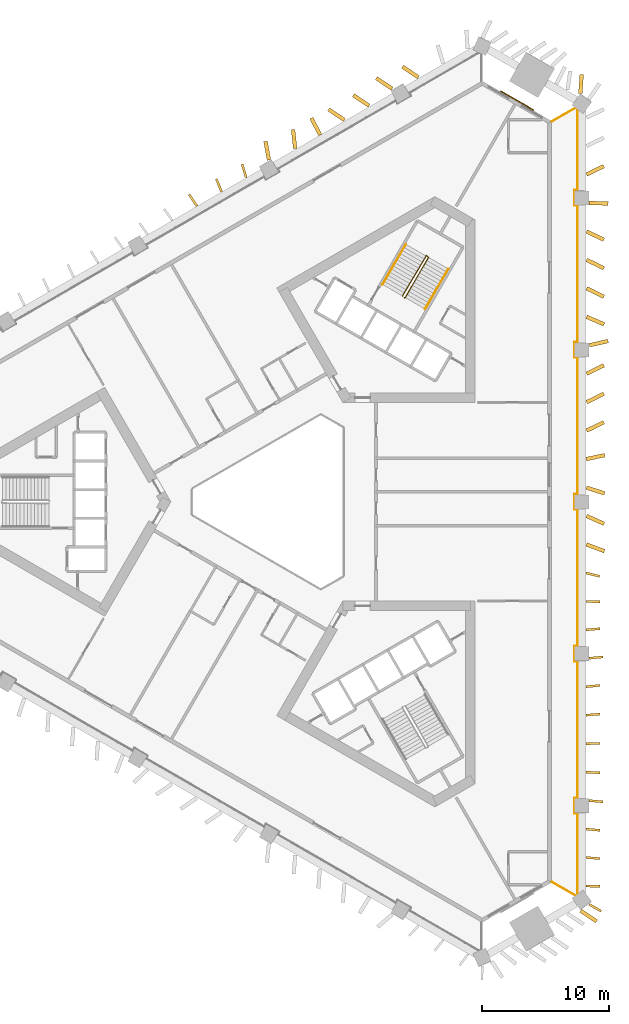
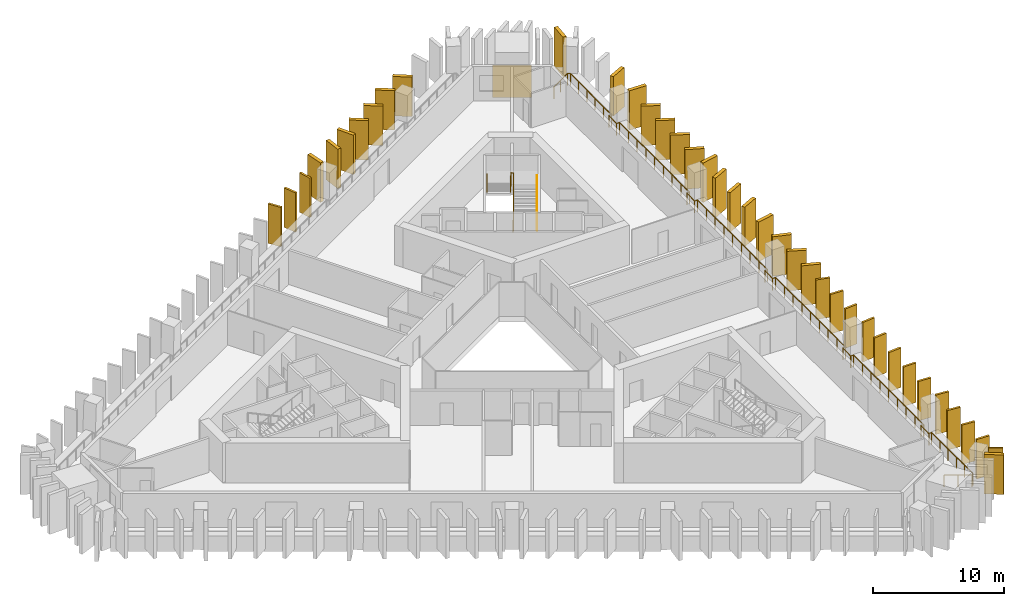
# One storey, part 9 of 10: 39 shading devices, 4 railings, 1 covering.
"""IFC4 building model written with IfcOpenShell, lengths in metres."""

import ifcopenshell
import ifcopenshell.guid

model = None  # the IFC model being written
_history = None  # IfcOwnerHistory: only IFC2X3 demands one
_inside = {}  # id of a spatial element -> (the spatial element, [elements in it])
_under = {}  # id of a project, library or spatial element -> (it, [spatial elements below it])
_declared = {}  # id of a project -> (the project, [libraries it declares])
_typed = {}  # id of a type object -> (the type object, [elements of that type])
_made_of = {}  # id of a material, layer set ... -> (it, [elements and type objects made of it])


def new_model(schema):
    """Start an empty IFC model of exactly this schema.

    Asked for "IFC4X3", IfcOpenShell would pick the latest addendum, in which some entities
    have other attributes; the version numbers below select the first issue.
    IFC2X3 requires an IfcOwnerHistory on every rooted entity: one is made here for all.
    """
    global model, _history
    if schema == "IFC4X3":
        model = ifcopenshell.file(schema_version=(4, 3, 0, 0))
    else:
        model = ifcopenshell.file(schema=schema)
    _inside.clear()
    _under.clear()
    _declared.clear()
    _typed.clear()
    _made_of.clear()
    _history = None
    if model.schema == "IFC2X3":
        org = make("IfcOrganization", Name="unknown")
        user = make(
            "IfcPersonAndOrganization",
            ThePerson=make("IfcPerson", FamilyName="unknown"),
            TheOrganization=org,
        )
        app = make(
            "IfcApplication",
            ApplicationDeveloper=org,
            Version="unknown",
            ApplicationFullName="unknown",
            ApplicationIdentifier="unknown",
        )
        _history = make(
            "IfcOwnerHistory",
            OwningUser=user,
            OwningApplication=app,
            ChangeAction="ADDED",
            CreationDate=0,
        )
    return model


def make(cls, **values):
    """One entity of the class cls with the attributes given. An attribute that is None is left unset."""
    return model.create_entity(
        cls, **{name: value for name, value in values.items() if value is not None}
    )


def rooted(cls, **values):
    """An entity with a GlobalId (a new one), such as an element, a storey or a relation."""
    return make(cls, GlobalId=ifcopenshell.guid.new(), OwnerHistory=_history, **values)


def si_unit(unit_type, name, prefix=None):
    """IfcSIUnit, for example si_unit("LENGTHUNIT", "METRE", prefix="MILLI")."""
    return make("IfcSIUnit", UnitType=unit_type, Prefix=prefix, Name=name)


def assignment(units):
    """IfcUnitAssignment: the units of a project."""
    return None if units is None else make("IfcUnitAssignment", Units=units)


def point(xyz):
    """IfcCartesianPoint."""
    return None if xyz is None else make("IfcCartesianPoint", Coordinates=xyz)


def direction(xyz):
    """IfcDirection."""
    return None if xyz is None else make("IfcDirection", DirectionRatios=xyz)


def frame(location, z_axis=None, x_axis=None):
    """IfcAxis2Placement3D, a coordinate frame: its origin and axes. An axis left out is left unset."""
    return make(
        "IfcAxis2Placement3D",
        Location=point(location),
        Axis=direction(z_axis),
        RefDirection=direction(x_axis),
    )


def frame_2d(location, x_axis=None):
    """IfcAxis2Placement2D, a coordinate frame in the plane: its origin and x axis."""
    return make(
        "IfcAxis2Placement2D", Location=point(location), RefDirection=direction(x_axis)
    )


def origin():
    """The frame at (0, 0, 0) with its axes left unset."""
    return frame((0.0, 0.0, 0.0))


def origin_2d():
    """The frame at (0, 0) in the plane with its x axis left unset."""
    return frame_2d((0.0, 0.0))


def place(relative_to, where):
    """IfcLocalPlacement: puts the frame where relative to a parent placement (None: the world)."""
    return make(
        "IfcLocalPlacement", PlacementRelTo=relative_to, RelativePlacement=where
    )


def context(
    kind, dimensions, precision=None, world=None, true_north=None, identifier=None
):
    """IfcGeometricRepresentationContext, for example the 3D "Model" context."""
    return make(
        "IfcGeometricRepresentationContext",
        ContextIdentifier=identifier,
        ContextType=kind,
        CoordinateSpaceDimension=dimensions,
        Precision=precision,
        WorldCoordinateSystem=world,
        TrueNorth=true_north,
    )


def subcontext(parent, identifier, kind, view, scale=None):
    """IfcGeometricRepresentationSubContext, for example "Body" below "Model"."""
    return make(
        "IfcGeometricRepresentationSubContext",
        ContextIdentifier=identifier,
        ContextType=kind,
        ParentContext=parent,
        TargetScale=scale,
        TargetView=view,
    )


def project(units=None, contexts=None):
    """IfcProject with its units and contexts."""
    return rooted(
        "IfcProject",
        Name="project",
        RepresentationContexts=contexts,
        UnitsInContext=assignment(units),
    )


def spatial(cls, under=None, at=None, **own):
    """A site, building, storey or space (cls), placed at a placement, below another one or the project."""
    s = rooted(cls, ObjectPlacement=at, **own)
    if under is not None:
        _under.setdefault(under.id(), (under, []))[1].append(s)
    return s


def profile(cls, at=None, kind="AREA", **sizes):
    """A parametric profile (cls). Its sizes go by their IFC names, for example OverallWidth=200.0."""
    return make(cls, ProfileType=kind, Position=at, **sizes)


def rectangle(**sizes):
    """IfcRectangleProfileDef."""
    return profile("IfcRectangleProfileDef", **sizes)


def circle(**sizes):
    """IfcCircleProfileDef."""
    return profile("IfcCircleProfileDef", **sizes)


def extrude(swept, where, along, depth):
    """IfcExtrudedAreaSolid: the profile swept, set in the frame where, extruded along a direction by depth."""
    return make(
        "IfcExtrudedAreaSolid",
        SweptArea=swept,
        Position=where,
        ExtrudedDirection=direction(along),
        Depth=depth,
    )


def shape(context_of_items, identifier, shape_type, items):
    """IfcShapeRepresentation: the items that make up one representation, for example the "Body"."""
    return make(
        "IfcShapeRepresentation",
        ContextOfItems=context_of_items,
        RepresentationIdentifier=identifier,
        RepresentationType=shape_type,
        Items=items,
    )


def material(Name=None, Category=None):
    """IfcMaterial."""
    return make("IfcMaterial", Name=Name, Category=Category)


def layer(
    of_material, thickness, ventilated=None, Name=None, Category=None, Priority=None
):
    """IfcMaterialLayer: one layer of a wall or slab, of a material (None: an air gap)."""
    return make(
        "IfcMaterialLayer",
        Material=of_material,
        LayerThickness=thickness,
        IsVentilated=ventilated,
        Name=Name,
        Category=Category,
        Priority=Priority,
    )


def layer_set(layers, Name=None):
    """IfcMaterialLayerSet."""
    return make("IfcMaterialLayerSet", MaterialLayers=layers, LayerSetName=Name)


def made_of(thing, what):
    """Note that an element or type object is made of a material, layer set ...; save() writes the relation."""
    if what is not None:
        _made_of.setdefault(what.id(), (what, []))[1].append(thing)
    return thing


def type_object(cls, material=None, **own):
    """A type object (cls), such as IfcWallType, which elements share."""
    return made_of(rooted(cls, **own), material)


def element(
    cls,
    number,
    at=None,
    inside=None,
    cuts=None,
    type_object=None,
    material=None,
    context=None,
    identifier="Body",
    shape_type=None,
    held_by="IfcProductDefinitionShape",
    body=None,
    shapes=None,
    **own,
):
    """One element of the class cls, such as IfcWall. Its Tag is "e" and its number.

    at: its placement. inside: the storey or other place that contains it. cuts: it is an
    opening in that element (IfcRelVoidsElement). A single representation is given by context,
    identifier, shape_type and body (its items); several are given by shapes. held_by: the class
    of the entity that holds the representations. save() writes the other relations.
    """
    e = rooted(cls, Tag="e%d" % number, ObjectPlacement=at, **own)
    if body is not None:
        shapes = [shape(context, identifier, shape_type, body)]
    if shapes is not None:
        e.Representation = make(held_by, Representations=shapes)
    if inside is not None:
        _inside.setdefault(inside.id(), (inside, []))[1].append(e)
    if cuts is not None:
        rooted(
            "IfcRelVoidsElement", RelatingBuildingElement=cuts, RelatedOpeningElement=e
        )
    if type_object is not None:
        _typed.setdefault(type_object.id(), (type_object, []))[1].append(e)
    return made_of(e, material)


def aggregate(whole, parts):
    """IfcRelAggregates: a whole, such as a stair, and the parts it consists of."""
    return rooted("IfcRelAggregates", RelatingObject=whole, RelatedObjects=parts)


def save(model, path):
    """Write the relations noted so far, then the file.

    IfcRelAggregates (storeys below a building ...), IfcRelContainedInSpatialStructure (elements
    in a storey), IfcRelDefinesByType, IfcRelAssociatesMaterial and IfcRelDeclares: one each for
    every whole, place, type object, material and project.
    """
    for whole, parts in _under.values():
        aggregate(whole, parts)
    for where, things in _inside.values():
        rooted(
            "IfcRelContainedInSpatialStructure",
            RelatedElements=things,
            RelatingStructure=where,
        )
    for kind, things in _typed.values():
        rooted("IfcRelDefinesByType", RelatedObjects=things, RelatingType=kind)
    for what, things in _made_of.values():
        rooted("IfcRelAssociatesMaterial", RelatedObjects=things, RelatingMaterial=what)
    for by, libraries in _declared.values():
        rooted("IfcRelDeclares", RelatingContext=by, RelatedDefinitions=libraries)
    model.write(path)


model = new_model("IFC4")

# Units and contexts
model_context = context("Model", 3, precision=1e-05, world=origin(), true_north=direction((0.0, 1.0)))
body_context = subcontext(model_context, "Body", "Model", "MODEL_VIEW")
ifc_project = project(units=[si_unit("LENGTHUNIT", "METRE"), si_unit("AREAUNIT", "SQUARE_METRE"), si_unit("VOLUMEUNIT", "CUBIC_METRE"), si_unit("PLANEANGLEUNIT", "RADIAN"), si_unit("MASSUNIT", "GRAM", prefix="KILO")], contexts=[model_context])

# Site, building, storey
site_placement = place(None, origin())
site = spatial("IfcSite", under=ifc_project, at=site_placement, CompositionType="ELEMENT")
building_placement = place(site_placement, origin())
building = spatial("IfcBuilding", under=site, at=building_placement, Name="Jabali Bay Hotel Tower and Convention Centre", CompositionType="ELEMENT")
storey_placement = place(building_placement, frame((0.0, 0.0, 68.39990234375)))
storey = spatial("IfcBuildingStorey", under=building, at=storey_placement, Name="L15", CompositionType="ELEMENT", Elevation=68.39990234375)

# Railing
ifc_material_1 = material(Name="Glass", Category="glass")
railing_type_1 = type_object("IfcRailingType", Name="Loggia glass guard 1100", PredefinedType="BALUSTRADE", material=ifc_material_1)
railing_1_placement = place(storey_placement, frame((95.9248046875, 109.855712890625, 0.0)))
element("IfcRailing", 1, at=railing_1_placement, inside=storey, type_object=railing_type_1, Name="Loggia glass guard L15", PredefinedType="BALUSTRADE", context=body_context, shape_type="SweptSolid", body=[
    extrude(circle(Radius=0.02490234375, at=origin_2d()), frame((0.0, 0.0, 1.0751953125), z_axis=(0.866027613664, 0.499996172356, 0.0), x_axis=(-0.495718635789, 0.858618627375, 0.13052619222)), (0.0, 0.0, 1.0), 2.1103515625),
    extrude(circle(Radius=0.02490234375, at=origin_2d()), frame((1.82763671875, 1.05517578125, 1.0751953125), z_axis=(0.802448385705, -0.596721533279, 0.0), x_axis=(0.591616497841, 0.795583328525, 0.13052619222)), (0.0, 0.0, 1.0), 0.21484375),
    extrude(circle(Radius=0.02490234375, at=origin_2d()), frame((2.0, 0.927001953125, 1.0751953125), z_axis=(0.0, -1.0, 0.0), x_axis=(0.991444861374, 0.0, 0.13052619222)), (0.0, 0.0, 1.0), 6.321533203125),
    extrude(circle(Radius=0.02490234375, at=origin_2d()), frame((2.0, -5.39453125, 1.0751953125), z_axis=(-1.0, 0.0, 0.0), x_axis=(0.0, -0.991444861374, 0.13052619222)), (0.0, 0.0, 1.0), 0.25),
    extrude(circle(Radius=0.02490234375, at=origin_2d()), frame((1.75, -5.39453125, 1.0751953125), z_axis=(0.0, -1.0, 0.0), x_axis=(0.991444861374, 0.0, 0.13052619222)), (0.0, 0.0, 1.0), 1.2001953125),
    extrude(circle(Radius=0.02490234375, at=origin_2d()), frame((1.75, -6.5947265625, 1.0751953125), z_axis=(1.0, 0.0, 0.0), x_axis=(0.0, 0.991444861374, 0.13052619222)), (0.0, 0.0, 1.0), 0.25),
    extrude(circle(Radius=0.02490234375, at=origin_2d()), frame((2.0, -6.5947265625, 1.0751953125), z_axis=(0.0, -1.0, 0.0), x_axis=(0.991444861374, 0.0, 0.13052619222)), (0.0, 0.0, 1.0), 10.73046875),
    extrude(circle(Radius=0.02490234375, at=origin_2d()), frame((2.0, -17.3251953125, 1.0751953125), z_axis=(-1.0, 0.0, 0.0), x_axis=(0.0, -0.991444861374, 0.13052619222)), (0.0, 0.0, 1.0), 0.25),
    extrude(circle(Radius=0.02490234375, at=origin_2d()), frame((1.75, -17.3251953125, 1.0751953125), z_axis=(0.0, -1.0, 0.0), x_axis=(0.991444861374, 0.0, 0.13052619222)), (0.0, 0.0, 1.0), 1.199951171875),
    extrude(circle(Radius=0.02490234375, at=origin_2d()), frame((1.75, -18.525146484375, 1.0751953125), z_axis=(1.0, 0.0, 0.0), x_axis=(0.0, 0.991444861374, 0.13052619222)), (0.0, 0.0, 1.0), 0.25),
    extrude(circle(Radius=0.02490234375, at=origin_2d()), frame((2.0, -18.525146484375, 1.0751953125), z_axis=(0.0, -1.0, 0.0), x_axis=(0.991444861374, 0.0, 0.13052619222)), (0.0, 0.0, 1.0), 10.73046875),
    extrude(circle(Radius=0.02490234375, at=origin_2d()), frame((2.0, -29.255615234375, 1.0751953125), z_axis=(-1.0, 0.0, 0.0), x_axis=(0.0, -0.991444861374, 0.13052619222)), (0.0, 0.0, 1.0), 0.25),
    extrude(circle(Radius=0.02490234375, at=origin_2d()), frame((1.75, -29.255615234375, 1.0751953125), z_axis=(0.0, -1.0, 0.0), x_axis=(0.991444861374, 0.0, 0.13052619222)), (0.0, 0.0, 1.0), 1.2001953125),
    extrude(circle(Radius=0.02490234375, at=origin_2d()), frame((1.75, -30.455810546875, 1.0751953125), z_axis=(1.0, 0.0, 0.0), x_axis=(0.0, 0.991444861374, 0.13052619222)), (0.0, 0.0, 1.0), 0.25),
    extrude(circle(Radius=0.02490234375, at=origin_2d()), frame((2.0, -30.455810546875, 1.0751953125), z_axis=(0.0, -1.0, 0.0), x_axis=(0.991444861374, 0.0, 0.13052619222)), (0.0, 0.0, 1.0), 10.73046875),
    extrude(circle(Radius=0.02490234375, at=origin_2d()), frame((2.0, -41.186279296875, 1.0751953125), z_axis=(-1.0, 0.0, 0.0), x_axis=(0.0, -0.991444861374, 0.13052619222)), (0.0, 0.0, 1.0), 0.25),
    extrude(circle(Radius=0.02490234375, at=origin_2d()), frame((1.75, -41.186279296875, 1.0751953125), z_axis=(0.0, -1.0, 0.0), x_axis=(0.991444861374, 0.0, 0.13052619222)), (0.0, 0.0, 1.0), 1.199951171875),
    extrude(circle(Radius=0.02490234375, at=origin_2d()), frame((1.75, -42.38623046875, 1.0751953125), z_axis=(1.0, 0.0, 0.0), x_axis=(0.0, 0.991444861374, 0.13052619222)), (0.0, 0.0, 1.0), 0.25),
    extrude(circle(Radius=0.02490234375, at=origin_2d()), frame((2.0, -42.38623046875, 1.0751953125), z_axis=(0.0, -1.0, 0.0), x_axis=(0.991444861374, 0.0, 0.13052619222)), (0.0, 0.0, 1.0), 10.73046875),
    extrude(circle(Radius=0.02490234375, at=origin_2d()), frame((2.0, -53.11669921875, 1.0751953125), z_axis=(-1.0, 0.0, 0.0), x_axis=(0.0, -0.991444861374, 0.13052619222)), (0.0, 0.0, 1.0), 0.25),
    extrude(circle(Radius=0.02490234375, at=origin_2d()), frame((1.75, -53.11669921875, 1.0751953125), z_axis=(0.0, -1.0, 0.0), x_axis=(0.991444861374, 0.0, 0.13052619222)), (0.0, 0.0, 1.0), 1.2001953125),
    extrude(circle(Radius=0.02490234375, at=origin_2d()), frame((1.75, -54.31689453125, 1.0751953125), z_axis=(1.0, 0.0, 0.0), x_axis=(0.0, 0.991444861374, 0.13052619222)), (0.0, 0.0, 1.0), 0.25),
    extrude(circle(Radius=0.02490234375, at=origin_2d()), frame((2.0, -54.31689453125, 1.0751953125), z_axis=(0.0, -1.0, 0.0), x_axis=(0.991444861374, 0.0, 0.13052619222)), (0.0, 0.0, 1.0), 6.321533203125),
    extrude(circle(Radius=0.02490234375, at=origin_2d()), frame((2.0, -60.638427734375, 1.0751953125), z_axis=(-0.802448385705, -0.596721533279, 0.0), x_axis=(0.591616497841, -0.795583328525, 0.13052619222)), (0.0, 0.0, 1.0), 0.21484375),
    extrude(circle(Radius=0.02490234375, at=origin_2d()), frame((1.82763671875, -60.7666015625, 1.0751953125), z_axis=(-0.866027613664, 0.499996172356, 0.0), x_axis=(-0.495718635789, -0.858618627375, 0.13052619222)), (0.0, 0.0, 1.0), 2.1103515625),
    extrude(circle(Radius=0.02001953125, at=origin_2d()), origin(), (0.0, 0.0, 1.0), 1.050048828125),
    extrude(circle(Radius=0.02001953125, at=origin_2d()), frame((0.913818359375, 0.527587890625, 0.0)), (0.0, 0.0, 1.0), 1.050048828125),
    extrude(circle(Radius=0.02001953125, at=origin_2d()), frame((1.82763671875, 1.05517578125, 0.0)), (0.0, 0.0, 1.0), 1.050048828125),
    extrude(circle(Radius=0.02001953125, at=origin_2d()), frame((2.0, 0.927001953125, 0.0)), (0.0, 0.0, 1.0), 1.050048828125),
    extrude(circle(Radius=0.02001953125, at=origin_2d()), frame((2.0, -0.33740234375, 0.0)), (0.0, 0.0, 1.0), 1.050048828125),
    extrude(circle(Radius=0.02001953125, at=origin_2d()), frame((2.0, -1.6015625, 0.0)), (0.0, 0.0, 1.0), 1.050048828125),
    extrude(circle(Radius=0.02001953125, at=origin_2d()), frame((2.0, -2.865966796875, 0.0)), (0.0, 0.0, 1.0), 1.050048828125),
    extrude(circle(Radius=0.02001953125, at=origin_2d()), frame((2.0, -4.130126953125, 0.0)), (0.0, 0.0, 1.0), 1.050048828125),
    extrude(circle(Radius=0.02001953125, at=origin_2d()), frame((2.0, -5.39453125, 0.0)), (0.0, 0.0, 1.0), 1.050048828125),
    extrude(circle(Radius=0.02001953125, at=origin_2d()), frame((1.75, -5.39453125, 0.0)), (0.0, 0.0, 1.0), 1.050048828125),
    extrude(circle(Radius=0.02001953125, at=origin_2d()), frame((1.75, -6.5947265625, 0.0)), (0.0, 0.0, 1.0), 1.050048828125),
    extrude(circle(Radius=0.02001953125, at=origin_2d()), frame((2.0, -6.5947265625, 0.0)), (0.0, 0.0, 1.0), 1.050048828125),
    extrude(circle(Radius=0.02001953125, at=origin_2d()), frame((2.0, -7.93603515625, 0.0)), (0.0, 0.0, 1.0), 1.050048828125),
    extrude(circle(Radius=0.02001953125, at=origin_2d()), frame((2.0, -9.27734375, 0.0)), (0.0, 0.0, 1.0), 1.050048828125),
    extrude(circle(Radius=0.02001953125, at=origin_2d()), frame((2.0, -10.61865234375, 0.0)), (0.0, 0.0, 1.0), 1.050048828125),
    extrude(circle(Radius=0.02001953125, at=origin_2d()), frame((2.0, -11.9599609375, 0.0)), (0.0, 0.0, 1.0), 1.050048828125),
    extrude(circle(Radius=0.02001953125, at=origin_2d()), frame((2.0, -13.30126953125, 0.0)), (0.0, 0.0, 1.0), 1.050048828125),
    extrude(circle(Radius=0.02001953125, at=origin_2d()), frame((2.0, -14.642578125, 0.0)), (0.0, 0.0, 1.0), 1.050048828125),
    extrude(circle(Radius=0.02001953125, at=origin_2d()), frame((2.0, -15.98388671875, 0.0)), (0.0, 0.0, 1.0), 1.050048828125),
    extrude(circle(Radius=0.02001953125, at=origin_2d()), frame((2.0, -17.3251953125, 0.0)), (0.0, 0.0, 1.0), 1.050048828125),
    extrude(circle(Radius=0.02001953125, at=origin_2d()), frame((1.75, -17.3251953125, 0.0)), (0.0, 0.0, 1.0), 1.050048828125),
    extrude(circle(Radius=0.02001953125, at=origin_2d()), frame((1.75, -18.525146484375, 0.0)), (0.0, 0.0, 1.0), 1.050048828125),
    extrude(circle(Radius=0.02001953125, at=origin_2d()), frame((2.0, -18.525146484375, 0.0)), (0.0, 0.0, 1.0), 1.050048828125),
    extrude(circle(Radius=0.02001953125, at=origin_2d()), frame((2.0, -19.866455078125, 0.0)), (0.0, 0.0, 1.0), 1.050048828125),
    extrude(circle(Radius=0.02001953125, at=origin_2d()), frame((2.0, -21.207763671875, 0.0)), (0.0, 0.0, 1.0), 1.050048828125),
    extrude(circle(Radius=0.02001953125, at=origin_2d()), frame((2.0, -22.549072265625, 0.0)), (0.0, 0.0, 1.0), 1.050048828125),
    extrude(circle(Radius=0.02001953125, at=origin_2d()), frame((2.0, -23.890380859375, 0.0)), (0.0, 0.0, 1.0), 1.050048828125),
    extrude(circle(Radius=0.02001953125, at=origin_2d()), frame((2.0, -25.231689453125, 0.0)), (0.0, 0.0, 1.0), 1.050048828125),
    extrude(circle(Radius=0.02001953125, at=origin_2d()), frame((2.0, -26.572998046875, 0.0)), (0.0, 0.0, 1.0), 1.050048828125),
    extrude(circle(Radius=0.02001953125, at=origin_2d()), frame((2.0, -27.914306640625, 0.0)), (0.0, 0.0, 1.0), 1.050048828125),
    extrude(circle(Radius=0.02001953125, at=origin_2d()), frame((2.0, -29.255615234375, 0.0)), (0.0, 0.0, 1.0), 1.050048828125),
    extrude(circle(Radius=0.02001953125, at=origin_2d()), frame((1.75, -29.255615234375, 0.0)), (0.0, 0.0, 1.0), 1.050048828125),
    extrude(circle(Radius=0.02001953125, at=origin_2d()), frame((1.75, -30.455810546875, 0.0)), (0.0, 0.0, 1.0), 1.050048828125),
    extrude(circle(Radius=0.02001953125, at=origin_2d()), frame((2.0, -30.455810546875, 0.0)), (0.0, 0.0, 1.0), 1.050048828125),
    extrude(circle(Radius=0.02001953125, at=origin_2d()), frame((2.0, -31.797119140625, 0.0)), (0.0, 0.0, 1.0), 1.050048828125),
    extrude(circle(Radius=0.02001953125, at=origin_2d()), frame((2.0, -33.138427734375, 0.0)), (0.0, 0.0, 1.0), 1.050048828125),
    extrude(circle(Radius=0.02001953125, at=origin_2d()), frame((2.0, -34.479736328125, 0.0)), (0.0, 0.0, 1.0), 1.050048828125),
    extrude(circle(Radius=0.02001953125, at=origin_2d()), frame((2.0, -35.821044921875, 0.0)), (0.0, 0.0, 1.0), 1.050048828125),
    extrude(circle(Radius=0.02001953125, at=origin_2d()), frame((2.0, -37.162353515625, 0.0)), (0.0, 0.0, 1.0), 1.050048828125),
    extrude(circle(Radius=0.02001953125, at=origin_2d()), frame((2.0, -38.503662109375, 0.0)), (0.0, 0.0, 1.0), 1.050048828125),
    extrude(circle(Radius=0.02001953125, at=origin_2d()), frame((2.0, -39.844970703125, 0.0)), (0.0, 0.0, 1.0), 1.050048828125),
    extrude(circle(Radius=0.02001953125, at=origin_2d()), frame((2.0, -41.186279296875, 0.0)), (0.0, 0.0, 1.0), 1.050048828125),
    extrude(circle(Radius=0.02001953125, at=origin_2d()), frame((1.75, -41.186279296875, 0.0)), (0.0, 0.0, 1.0), 1.050048828125),
    extrude(circle(Radius=0.02001953125, at=origin_2d()), frame((1.75, -42.38623046875, 0.0)), (0.0, 0.0, 1.0), 1.050048828125),
    extrude(circle(Radius=0.02001953125, at=origin_2d()), frame((2.0, -42.38623046875, 0.0)), (0.0, 0.0, 1.0), 1.050048828125),
    extrude(circle(Radius=0.02001953125, at=origin_2d()), frame((2.0, -43.7275390625, 0.0)), (0.0, 0.0, 1.0), 1.050048828125),
    extrude(circle(Radius=0.02001953125, at=origin_2d()), frame((2.0, -45.06884765625, 0.0)), (0.0, 0.0, 1.0), 1.050048828125),
    extrude(circle(Radius=0.02001953125, at=origin_2d()), frame((2.0, -46.41015625, 0.0)), (0.0, 0.0, 1.0), 1.050048828125),
    extrude(circle(Radius=0.02001953125, at=origin_2d()), frame((2.0, -47.75146484375, 0.0)), (0.0, 0.0, 1.0), 1.050048828125),
    extrude(circle(Radius=0.02001953125, at=origin_2d()), frame((2.0, -49.0927734375, 0.0)), (0.0, 0.0, 1.0), 1.050048828125),
    extrude(circle(Radius=0.02001953125, at=origin_2d()), frame((2.0, -50.43408203125, 0.0)), (0.0, 0.0, 1.0), 1.050048828125),
    extrude(circle(Radius=0.02001953125, at=origin_2d()), frame((2.0, -51.775390625, 0.0)), (0.0, 0.0, 1.0), 1.050048828125),
    extrude(circle(Radius=0.02001953125, at=origin_2d()), frame((2.0, -53.11669921875, 0.0)), (0.0, 0.0, 1.0), 1.050048828125),
    extrude(circle(Radius=0.02001953125, at=origin_2d()), frame((1.75, -53.11669921875, 0.0)), (0.0, 0.0, 1.0), 1.050048828125),
    extrude(circle(Radius=0.02001953125, at=origin_2d()), frame((1.75, -54.31689453125, 0.0)), (0.0, 0.0, 1.0), 1.050048828125),
    extrude(circle(Radius=0.02001953125, at=origin_2d()), frame((2.0, -54.31689453125, 0.0)), (0.0, 0.0, 1.0), 1.050048828125),
    extrude(circle(Radius=0.02001953125, at=origin_2d()), frame((2.0, -55.581298828125, 0.0)), (0.0, 0.0, 1.0), 1.050048828125),
    extrude(circle(Radius=0.02001953125, at=origin_2d()), frame((2.0, -56.845458984375, 0.0)), (0.0, 0.0, 1.0), 1.050048828125),
    extrude(circle(Radius=0.02001953125, at=origin_2d()), frame((2.0, -58.10986328125, 0.0)), (0.0, 0.0, 1.0), 1.050048828125),
    extrude(circle(Radius=0.02001953125, at=origin_2d()), frame((2.0, -59.3740234375, 0.0)), (0.0, 0.0, 1.0), 1.050048828125),
    extrude(circle(Radius=0.02001953125, at=origin_2d()), frame((2.0, -60.638427734375, 0.0)), (0.0, 0.0, 1.0), 1.050048828125),
    extrude(circle(Radius=0.02001953125, at=origin_2d()), frame((1.82763671875, -60.7666015625, 0.0)), (0.0, 0.0, 1.0), 1.050048828125),
    extrude(circle(Radius=0.02001953125, at=origin_2d()), frame((0.913818359375, -60.239013671875, 0.0)), (0.0, 0.0, 1.0), 1.050048828125),
    extrude(circle(Radius=0.02001953125, at=origin_2d()), frame((0.0, -59.71142578125, 0.0)), (0.0, 0.0, 1.0), 1.050048828125),
])

# Shading devices
ifc_material_2 = material(Name="Precast concrete C60", Category="concrete")
ifc_layer_1 = layer(ifc_material_2, 0.179931640625)
ifc_layer_set_1 = layer_set([ifc_layer_1], Name="Precast concrete C60")
shading_device_type_1 = type_object("IfcShadingDeviceType", Name="Precast fin 3680 x 1100", PredefinedType="USERDEFINED", material=ifc_layer_set_1)
shading_device_1_placement = place(storey_placement, frame((98.56982421875, 49.8466796875, 0.010009765625), z_axis=(0.0, 0.0, 1.0), x_axis=(0.999589910813, -0.02863582023, 0.0)))
element("IfcShadingDevice", 2, at=shading_device_1_placement, inside=storey, type_object=shading_device_type_1, Name="Fin L15 000", ObjectType="FIN", PredefinedType="USERDEFINED", context=body_context, shape_type="SweptSolid", body=[
    extrude(rectangle(XDim=1.099853515625, YDim=0.179931640625, at=frame_2d((0.5498046875, 0.0))), origin(), (0.0, 0.0, 1.0), 3.68017578125),
])
for number, where, z_axis, x_axis, name in (
    (3, (98.573974609375, 52.080322265625, 0.010009765625), (0.0, 0.0, 1.0), (0.997030942613, -0.0770019446, 0.0), "Fin L15 001"),
    (4, (98.575439453125, 54.313720703125, 0.010009765625), (0.0, 0.0, 1.0), (0.995851258694, -0.090995991991, 0.0), "Fin L15 002"),
    (5, (98.832763671875, 56.54736328125, 0.010009765625), (0.0, 0.0, 1.0), (0.995851258694, -0.090995991991, 0.0), "Fin L15 003"),
):
    element("IfcShadingDevice", number, at=place(storey_placement, frame(where, z_axis=z_axis, x_axis=x_axis)), inside=storey, type_object=shading_device_type_1, Name=name, ObjectType="FIN", PredefinedType="USERDEFINED", context=body_context, shape_type="SweptSolid", body=[
        extrude(rectangle(XDim=1.10009765625, YDim=0.179931640625, at=frame_2d((0.550048828125, 0.0))), origin(), (0.0, 0.0, 1.0), 3.68017578125),
    ])
shading_device_2_placement = place(storey_placement, frame((98.571533203125, 58.781005859375, 0.010009765625), z_axis=(0.0, 0.0, 1.0), x_axis=(0.998817877208, -0.048609136691, 0.0)))
element("IfcShadingDevice", 6, at=shading_device_2_placement, inside=storey, type_object=shading_device_type_1, Name="Fin L15 004", ObjectType="FIN", PredefinedType="USERDEFINED", context=body_context, shape_type="SweptSolid", body=[
    extrude(rectangle(XDim=1.099853515625, YDim=0.179931640625, at=frame_2d((0.5498046875, 0.0))), origin(), (0.0, 0.0, 1.0), 3.68017578125),
])
for number, where, z_axis, x_axis, name in (
    (7, (98.568603515625, 61.0146484375, 0.010009765625), (0.0, 0.0, 1.0), (0.999879302615, 0.015536415357, 0.0), "Fin L15 005"),
    (8, (98.574462890625, 63.248046875, 0.010009765625), (0.0, 0.0, 1.0), (0.996713568455, 0.081006558113, 0.0), "Fin L15 006"),
):
    element("IfcShadingDevice", number, at=place(storey_placement, frame(where, z_axis=z_axis, x_axis=x_axis)), inside=storey, type_object=shading_device_type_1, Name=name, ObjectType="FIN", PredefinedType="USERDEFINED", context=body_context, shape_type="SweptSolid", body=[
        extrude(rectangle(XDim=1.10009765625, YDim=0.179931640625, at=frame_2d((0.550048828125, 0.0))), origin(), (0.0, 0.0, 1.0), 3.68017578125),
    ])
for number, where, z_axis, x_axis, name in (
    (9, (98.57568359375, 65.481689453125, 0.010009765625), (0.0, 0.0, 1.0), (0.995477498662, 0.09499762975, 0.0), "Fin L15 007"),
    (10, (98.833740234375, 67.71533203125, 0.010009765625), (0.0, 0.0, 1.0), (0.994864292143, 0.101217786081, 0.0), "Fin L15 008"),
    (11, (98.57470703125, 69.948974609375, 0.010009765625), (0.0, 0.0, 1.0), (0.996585442931, 0.082567880795, 0.0), "Fin L15 009"),
    (12, (98.570068359375, 72.182373046875, 0.010009765625), (0.0, 0.0, 1.0), (0.999453006458, -0.033070952246, 0.0), "Fin L15 010"),
    (13, (98.589599609375, 74.416015625, 0.010009765625), (0.0, 0.0, 1.0), (0.968609072742, -0.248588946258, 0.0), "Fin L15 011"),
):
    element("IfcShadingDevice", number, at=place(storey_placement, frame(where, z_axis=z_axis, x_axis=x_axis)), inside=storey, type_object=shading_device_type_1, Name=name, ObjectType="FIN", PredefinedType="USERDEFINED", context=body_context, shape_type="SweptSolid", body=[
        extrude(rectangle(XDim=1.099853515625, YDim=0.179931640625, at=frame_2d((0.5498046875, 0.0))), origin(), (0.0, 0.0, 1.0), 3.68017578125),
    ])
shading_device_3_placement = place(storey_placement, frame((71.91064453125, 105.453369140625, 0.010009765625), z_axis=(0.0, 0.0, 1.0), x_axis=(-0.286309257674, 0.958137259984, 0.0)))
element("IfcShadingDevice", 14, at=shading_device_3_placement, inside=storey, type_object=shading_device_type_1, Name="Fin L15 046", ObjectType="FIN", PredefinedType="USERDEFINED", context=body_context, shape_type="SweptSolid", body=[
    extrude(rectangle(XDim=1.10009765625, YDim=0.179931640625, at=frame_2d((0.550048828125, 0.0))), origin(), (0.0, 0.0, 1.0), 3.68017578125),
])
shading_device_4_placement = place(storey_placement, frame((69.980224609375, 104.32958984375, 0.010009765625), z_axis=(0.0, 0.0, 1.0), x_axis=(-0.372921046105, 0.927863079, 0.0)))
element("IfcShadingDevice", 15, at=shading_device_4_placement, inside=storey, type_object=shading_device_type_1, Name="Fin L15 047", ObjectType="FIN", PredefinedType="USERDEFINED", context=body_context, shape_type="SweptSolid", body=[
    extrude(rectangle(XDim=1.099853515625, YDim=0.179931640625, at=frame_2d((0.5498046875, 0.0))), origin(), (0.0, 0.0, 1.0), 3.68017578125),
])
for number, where, z_axis, x_axis, name in (
    (16, (68.049072265625, 103.20703125, 0.010009765625), (0.0, 0.0, 1.0), (-0.558790426124, 0.829308904855, 0.0), "Fin L15 048"),
    (17, (98.826904296875, 48.4111328125, 0.010009765625), (0.0, 0.0, 1.0), (0.866008176907, -0.50002983664, 0.0), "Fin L15 111"),
):
    element("IfcShadingDevice", number, at=place(storey_placement, frame(where, z_axis=z_axis, x_axis=x_axis)), inside=storey, type_object=shading_device_type_1, Name=name, ObjectType="FIN", PredefinedType="USERDEFINED", context=body_context, shape_type="SweptSolid", body=[
        extrude(rectangle(XDim=1.10009765625, YDim=0.179931640625, at=frame_2d((0.550048828125, 0.0))), origin(), (0.0, 0.0, 1.0), 3.68017578125),
    ])
ifc_layer_2 = layer(ifc_material_2, 0.300048828125)
ifc_layer_set_2 = layer_set([ifc_layer_2], Name="Precast concrete C60")
shading_device_type_2 = type_object("IfcShadingDeviceType", Name="Precast fin 3680 x 1500", PredefinedType="USERDEFINED", material=ifc_layer_set_2)
shading_device_5_placement = place(storey_placement, frame((98.619384765625, 76.649658203125, 0.010009765625), z_axis=(0.0, 0.0, 1.0), x_axis=(0.937089422247, -0.349089407906, 0.0)))
element("IfcShadingDevice", 18, at=shading_device_5_placement, inside=storey, type_object=shading_device_type_2, Name="Fin L15 012", ObjectType="FIN", PredefinedType="USERDEFINED", context=body_context, shape_type="SweptSolid", body=[
    extrude(rectangle(XDim=1.500244140625, YDim=0.300048828125, at=frame_2d((0.75, 0.0))), origin(), (0.0, 0.0, 1.0), 3.68017578125),
])
shading_device_6_placement = place(storey_placement, frame((98.62841796875, 78.88330078125, 0.010009765625), z_axis=(0.0, 0.0, 1.0), x_axis=(0.913105421974, -0.407723544037, 0.0)))
element("IfcShadingDevice", 19, at=shading_device_6_placement, inside=storey, type_object=shading_device_type_2, Name="Fin L15 013", ObjectType="FIN", PredefinedType="USERDEFINED", context=body_context, shape_type="SweptSolid", body=[
    extrude(rectangle(XDim=1.5, YDim=0.300048828125, at=frame_2d((0.75, 0.0))), origin(), (0.0, 0.0, 1.0), 3.68017578125),
])
shading_device_7_placement = place(storey_placement, frame((98.613525390625, 81.11669921875, 0.010009765625), z_axis=(0.0, 0.0, 1.0), x_axis=(0.951128527351, -0.308795279203, 0.0)))
element("IfcShadingDevice", 20, at=shading_device_7_placement, inside=storey, type_object=shading_device_type_2, Name="Fin L15 014", ObjectType="FIN", PredefinedType="USERDEFINED", context=body_context, shape_type="SweptSolid", body=[
    extrude(rectangle(XDim=1.499755859375, YDim=0.300048828125, at=frame_2d((0.75, 0.0))), origin(), (0.0, 0.0, 1.0), 3.68017578125),
])
for number, where, z_axis, x_axis, name in (
    (21, (98.59765625, 83.350341796875, 0.010009765625), (0.0, 0.0, 1.0), (0.978951976052, 0.204090736154, 0.0), "Fin L15 015"),
    (22, (98.6328125, 85.583984375, 0.010009765625), (0.0, 0.0, 1.0), (0.899447838234, 0.437028129869, 0.0), "Fin L15 016"),
    (23, (98.6328125, 87.817626953125, 0.010009765625), (0.0, 0.0, 1.0), (0.89928872882, 0.437355441509, 0.0), "Fin L15 017"),
    (24, (98.6328125, 90.051025390625, 0.010009765625), (0.0, 0.0, 1.0), (0.899129499022, 0.43768269784, 0.0), "Fin L15 018"),
    (25, (98.857666015625, 92.28466796875, 0.010009765625), (0.0, 0.0, 1.0), (0.975196764034, 0.221339719474, 0.0), "Fin L15 019"),
    (26, (98.626220703125, 94.518310546875, 0.010009765625), (0.0, 0.0, 1.0), (0.919035560835, -0.394174628713, 0.0), "Fin L15 020"),
    (27, (98.6328125, 96.751953125, 0.010009765625), (0.0, 0.0, 1.0), (0.899129499022, -0.43768269784, 0.0), "Fin L15 021"),
    (28, (98.6328125, 98.9853515625, 0.010009765625), (0.0, 0.0, 1.0), (0.899129499022, -0.43768269784, 0.0), "Fin L15 022"),
    (29, (98.6328125, 101.218994140625, 0.010009765625), (0.0, 0.0, 1.0), (0.899129499022, -0.43768269784, 0.0), "Fin L15 023"),
    (30, (98.828857421875, 103.45263671875, 0.010009765625), (0.0, 0.0, 1.0), (0.999575457436, -0.029135972461, 0.0), "Fin L15 024"),
    (31, (98.6328125, 105.686279296875, 0.010009765625), (0.0, 0.0, 1.0), (0.899129499022, 0.43768269784, 0.0), "Fin L15 025"),
    (32, (98.1396484375, 112.041015625, 0.010009765625), (0.0, 0.0, 1.0), (0.070634034433, 0.997502297331, 0.0), "Fin L15 028"),
):
    element("IfcShadingDevice", number, at=place(storey_placement, frame(where, z_axis=z_axis, x_axis=x_axis)), inside=storey, type_object=shading_device_type_2, Name=name, ObjectType="FIN", PredefinedType="USERDEFINED", context=body_context, shape_type="SweptSolid", body=[
        extrude(rectangle(XDim=1.5, YDim=0.300048828125, at=frame_2d((0.75, 0.0))), origin(), (0.0, 0.0, 1.0), 3.68017578125),
    ])
shading_device_8_placement = place(storey_placement, frame((85.428466796875, 113.309814453125, 0.010009765625), z_axis=(0.0, 0.0, 1.0), x_axis=(-0.828527739218, 0.559948020218, 0.0)))
element("IfcShadingDevice", 33, at=shading_device_8_placement, inside=storey, type_object=shading_device_type_2, Name="Fin L15 039", ObjectType="FIN", PredefinedType="USERDEFINED", context=body_context, shape_type="SweptSolid", body=[
    extrude(rectangle(XDim=1.499755859375, YDim=0.300048828125, at=frame_2d((0.75, 0.0))), origin(), (0.0, 0.0, 1.0), 3.68017578125),
])
for number, where, z_axis, x_axis, name in (
    (34, (83.365478515625, 112.416015625, 0.010009765625), (0.0, 0.0, 1.0), (-0.828452221688, 0.560059743581, 0.0), "Fin L15 040"),
    (35, (81.559814453125, 111.075927734375, 0.010009765625), (0.0, 0.0, 1.0), (-0.827996699277, 0.560732972088, 0.0), "Fin L15 041"),
    (36, (79.625732421875, 109.958984375, 0.010009765625), (0.0, 0.0, 1.0), (-0.826805394562, 0.56248807945, 0.0), "Fin L15 042"),
):
    element("IfcShadingDevice", number, at=place(storey_placement, frame(where, z_axis=z_axis, x_axis=x_axis)), inside=storey, type_object=shading_device_type_2, Name=name, ObjectType="FIN", PredefinedType="USERDEFINED", context=body_context, shape_type="SweptSolid", body=[
        extrude(rectangle(XDim=1.5, YDim=0.300048828125, at=frame_2d((0.75, 0.0))), origin(), (0.0, 0.0, 1.0), 3.68017578125),
    ])
for number, where, z_axis, x_axis, name in (
    (37, (77.720947265625, 108.790771484375, 0.010009765625), (0.0, 0.0, 1.0), (-0.46496147449, 0.885330913975, 0.0), "Fin L15 043"),
    (38, (75.759521484375, 107.720947265625, 0.010009765625), (0.0, 0.0, 1.0), (-0.110663726361, 0.993857907182, 0.0), "Fin L15 044"),
):
    element("IfcShadingDevice", number, at=place(storey_placement, frame(where, z_axis=z_axis, x_axis=x_axis)), inside=storey, type_object=shading_device_type_2, Name=name, ObjectType="FIN", PredefinedType="USERDEFINED", context=body_context, shape_type="SweptSolid", body=[
        extrude(rectangle(XDim=1.500244140625, YDim=0.300048828125, at=frame_2d((0.75, 0.0))), origin(), (0.0, 0.0, 1.0), 3.68017578125),
    ])
for number, where, z_axis, x_axis, name in (
    (39, (73.701416015625, 106.818359375, 0.010009765625), (0.0, 0.0, 1.0), (-0.181634648998, 0.983366083554, 0.0), "Fin L15 045"),
    (40, (98.170654296875, 47.9052734375, 0.010009765625), (0.0, 0.0, 1.0), (0.828654266351, -0.55976075859, 0.0), "Fin L15 110"),
):
    element("IfcShadingDevice", number, at=place(storey_placement, frame(where, z_axis=z_axis, x_axis=x_axis)), inside=storey, type_object=shading_device_type_2, Name=name, ObjectType="FIN", PredefinedType="USERDEFINED", context=body_context, shape_type="SweptSolid", body=[
        extrude(rectangle(XDim=1.5, YDim=0.300048828125, at=frame_2d((0.75, 0.0))), origin(), (0.0, 0.0, 1.0), 3.68017578125),
    ])

# Covering
ifc_material_3 = material(Name="Precast concrete C40/50", Category="concrete")
ifc_layer_3 = layer(ifc_material_3, 0.080078125)
ifc_layer_set_3 = layer_set([ifc_layer_3], Name="Precast concrete C40/50")
covering_type = type_object("IfcCoveringType", Name="Relief panel 3000 x 3000", PredefinedType="CLADDING", material=ifc_layer_set_3)
covering_placement = place(storey_placement, frame((93.178955078125, 111.487060546875, 0.10009765625), z_axis=(0.0, 0.0, 1.0), x_axis=(0.866025422521, -0.499999967548, 0.0)))
element("IfcCovering", 41, at=covering_placement, inside=storey, type_object=covering_type, Name="Relief panel L15", PredefinedType="CLADDING", context=body_context, shape_type="SweptSolid", body=[
    extrude(rectangle(XDim=3.0, YDim=0.080078125, at=origin_2d()), origin(), (0.0, 0.0, 1.0), 3.0),
])

# Railings
ifc_material_4 = material(Name="Steel Q355B", Category="steel")
railing_type_2 = type_object("IfcRailingType", Name="Stair guard 1100", PredefinedType="GUARDRAIL", material=ifc_material_4)
railing_2_placement = place(storey_placement, frame((84.329833984375, 96.010009765625, 0.0)))
element("IfcRailing", 42, at=railing_2_placement, inside=storey, type_object=railing_type_2, Name="L15 ST2 stair guard 1", PredefinedType="GUARDRAIL", context=body_context, shape_type="SweptSolid", body=[
    extrude(circle(Radius=0.02392578125, at=origin_2d()), frame((0.0, 0.0, 1.076171875), z_axis=(0.455547195254, 0.122021570157, 0.88180921367), x_axis=(-0.258736085224, 0.965948051503, 0.0)), (0.0, 0.0, 1.0), 0.150146484375),
    extrude(circle(Radius=0.02392578125, at=origin_2d()), frame((0.068359375, 0.018310546875, 1.20849609375), z_axis=(0.452190331055, 0.783190014029, 0.426775475427), x_axis=(-0.866018046521, 0.500012742938, 0.0)), (0.0, 0.0, 1.0), 4.02490234375),
    extrude(circle(Radius=0.02392578125, at=origin_2d()), frame((1.888427734375, 3.170654296875, 2.92626953125), z_axis=(-0.718850276695, 0.695164929852, 0.0), x_axis=(-0.695164929852, -0.718850276695, 0.0)), (0.0, 0.0, 1.0), 0.2060546875),
    extrude(circle(Radius=0.02392578125, at=origin_2d()), frame((1.740234375, 3.31396484375, 2.92626953125), z_axis=(-0.457445338502, -0.768046879266, 0.448160410493), x_axis=(0.859157857954, -0.511710636118, 0.0)), (0.0, 0.0, 1.0), 4.128173828125),
    extrude(circle(Radius=0.02099609375, at=origin_2d()), origin(), (0.0, 0.0, 1.0), 1.052001953125),
    extrude(circle(Radius=0.02099609375, at=origin_2d()), frame((0.068359375, 0.018310546875, 0.13232421875)), (0.0, 0.0, 1.0), 1.052001953125),
    extrude(circle(Radius=0.02099609375, at=origin_2d()), frame((0.5234375, 0.806396484375, 0.561767578125)), (0.0, 0.0, 1.0), 1.052001953125),
    extrude(circle(Radius=0.02099609375, at=origin_2d()), frame((0.978515625, 1.594482421875, 0.9912109375)), (0.0, 0.0, 1.0), 1.052001953125),
    extrude(circle(Radius=0.02099609375, at=origin_2d()), frame((1.433349609375, 2.382568359375, 1.420654296875)), (0.0, 0.0, 1.0), 1.052001953125),
    extrude(circle(Radius=0.02099609375, at=origin_2d()), frame((1.888427734375, 3.170654296875, 1.85009765625)), (0.0, 0.0, 1.0), 1.052001953125),
    extrude(circle(Radius=0.02099609375, at=origin_2d()), frame((1.740234375, 3.31396484375, 1.85009765625)), (0.0, 0.0, 1.0), 1.052001953125),
    extrude(circle(Radius=0.02099609375, at=origin_2d()), frame((1.26806640625, 2.521240234375, 2.3125)), (0.0, 0.0, 1.0), 1.052001953125),
    extrude(circle(Radius=0.02099609375, at=origin_2d()), frame((0.7958984375, 1.728515625, 2.775146484375)), (0.0, 0.0, 1.0), 1.052001953125),
    extrude(circle(Radius=0.02099609375, at=origin_2d()), frame((0.323974609375, 0.93603515625, 3.23779296875)), (0.0, 0.0, 1.0), 1.052001953125),
    extrude(circle(Radius=0.02099609375, at=origin_2d()), frame((-0.148193359375, 0.143310546875, 3.7001953125)), (0.0, 0.0, 1.0), 1.052001953125),
])
railing_type_3 = type_object("IfcRailingType", Name="Stair handrail 900", PredefinedType="HANDRAIL", material=ifc_material_4)
railing_3_placement = place(storey_placement, frame((85.95703125, 95.128173828125, 0.13232421875)))
element("IfcRailing", 43, at=railing_3_placement, inside=storey, type_object=railing_type_3, Name="L15 ST2 stair handrail 1", PredefinedType="HANDRAIL", context=body_context, shape_type="SweptSolid", body=[
    extrude(circle(Radius=0.02392578125, at=origin_2d()), frame((0.0, 0.0, 0.8759765625), z_axis=(0.452190331055, 0.783190014029, 0.426775475427), x_axis=(-0.866018046521, 0.500012742938, 0.0)), (0.0, 0.0, 1.0), 4.02490234375),
    extrude(circle(Radius=0.02099609375, at=origin_2d()), origin(), (0.0, 0.0, 1.0), 0.851806640625),
    extrude(circle(Radius=0.02099609375, at=origin_2d()), frame((0.455078125, 0.7880859375, 0.429443359375)), (0.0, 0.0, 1.0), 0.851806640625),
    extrude(circle(Radius=0.02099609375, at=origin_2d()), frame((0.91015625, 1.576171875, 0.85888671875)), (0.0, 0.0, 1.0), 0.851806640625),
    extrude(circle(Radius=0.02099609375, at=origin_2d()), frame((1.364990234375, 2.3642578125, 1.288330078125)), (0.0, 0.0, 1.0), 0.851806640625),
    extrude(circle(Radius=0.02099609375, at=origin_2d()), frame((1.820068359375, 3.15234375, 1.7177734375)), (0.0, 0.0, 1.0), 0.851806640625),
])
railing_4_placement = place(storey_placement, frame((84.44287109375, 100.20556640625, 1.982177734375)))
element("IfcRailing", 44, at=railing_4_placement, inside=storey, type_object=railing_type_3, Name="L15 ST2 stair handrail 2", PredefinedType="HANDRAIL", context=body_context, shape_type="SweptSolid", body=[
    extrude(circle(Radius=0.02392578125, at=origin_2d()), frame((0.0, 0.0, 0.8759765625), z_axis=(-0.45217862506, -0.783169739339, 0.426825081763), x_axis=(0.866018046521, -0.500012742938, 0.0)), (0.0, 0.0, 1.0), 4.025146484375),
    extrude(circle(Radius=0.02099609375, at=origin_2d()), origin(), (0.0, 0.0, 1.0), 0.851806640625),
    extrude(circle(Radius=0.02099609375, at=origin_2d()), frame((-0.455078125, -0.7880859375, 0.429443359375)), (0.0, 0.0, 1.0), 0.851806640625),
    extrude(circle(Radius=0.02099609375, at=origin_2d()), frame((-0.91015625, -1.576171875, 0.85888671875)), (0.0, 0.0, 1.0), 0.851806640625),
    extrude(circle(Radius=0.02099609375, at=origin_2d()), frame((-1.364990234375, -2.3642578125, 1.28857421875)), (0.0, 0.0, 1.0), 0.851806640625),
    extrude(circle(Radius=0.02099609375, at=origin_2d()), frame((-1.820068359375, -3.15234375, 1.718017578125)), (0.0, 0.0, 1.0), 0.851806640625),
])

save(model, "model.ifc")
